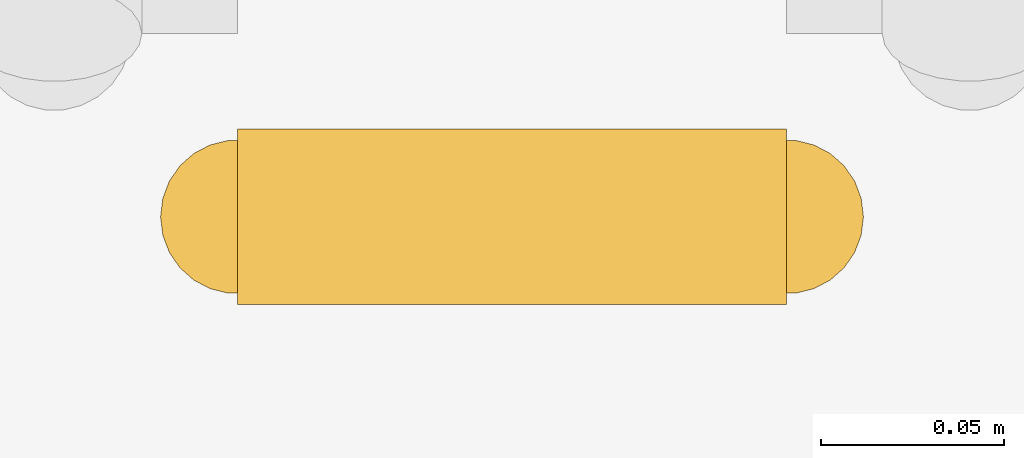
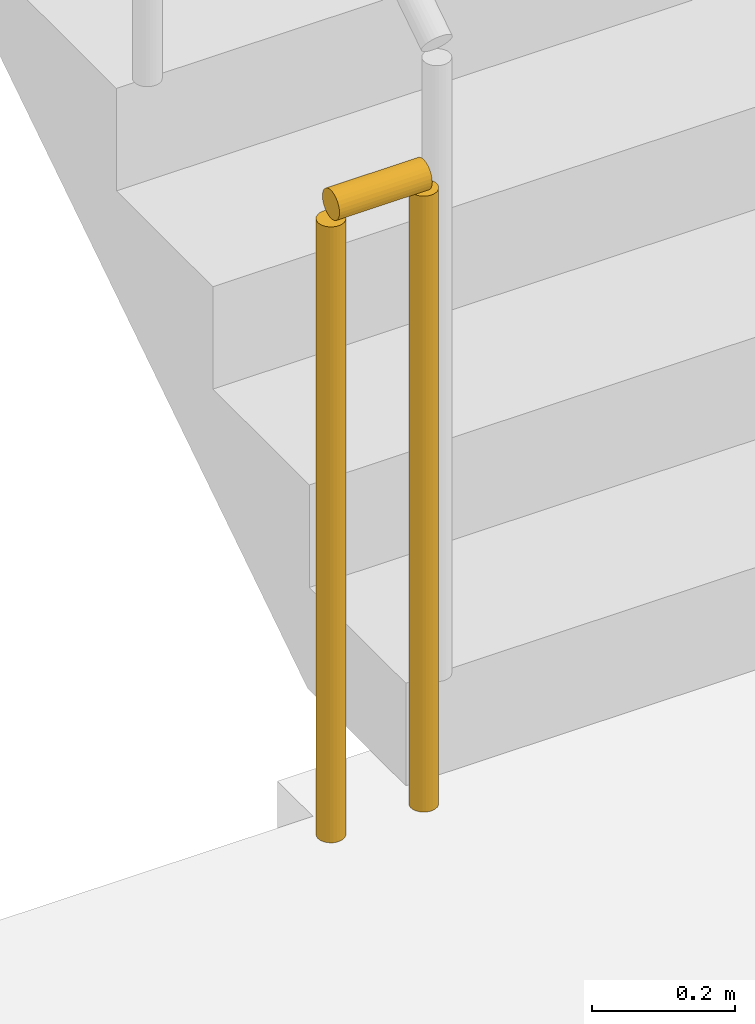
# One storey, part 17 of 20: 1 railing.
"""IFC4 building model written with IfcOpenShell, lengths in metres."""

from ifc_helpers import new_model, si_unit, direction, frame, origin, origin_2d, place, context, subcontext, project, spatial, circle, extrude, material, type_object, element, save


model = new_model("IFC4")

# Units and contexts
model_context = context("Model", 3, precision=1e-05, world=origin(), true_north=direction((0.0, 1.0)))
body_context = subcontext(model_context, "Body", "Model", "MODEL_VIEW")
ifc_project = project(units=[si_unit("LENGTHUNIT", "METRE"), si_unit("AREAUNIT", "SQUARE_METRE"), si_unit("VOLUMEUNIT", "CUBIC_METRE"), si_unit("PLANEANGLEUNIT", "RADIAN"), si_unit("MASSUNIT", "GRAM", prefix="KILO")], contexts=[model_context])

# Site, building, storey
site_placement = place(None, origin())
site = spatial("IfcSite", under=ifc_project, at=site_placement, CompositionType="ELEMENT")
building_placement = place(site_placement, origin())
building = spatial("IfcBuilding", under=site, at=building_placement, Name="Saffron Iwan Residences", CompositionType="ELEMENT")
storey_placement = place(building_placement, frame((0.0, 0.0, 178.0)))
storey = spatial("IfcBuildingStorey", under=building, at=storey_placement, Name="L47", CompositionType="ELEMENT", Elevation=178.0)

# Railing
ifc_material = material(Name="Steel S355", Category="steel")
railing_type = type_object("IfcRailingType", Name="Stair guard 1100", PredefinedType="GUARDRAIL", material=ifc_material)
railing_placement = place(storey_placement, frame((69.699951171875, 67.800048828125, 0.0)))
element("IfcRailing", 1, at=railing_placement, inside=storey, type_object=railing_type, Name="L47 ST-E stair guard 2", PredefinedType="GUARDRAIL", context=body_context, shape_type="SweptSolid", body=[
    extrude(circle(Radius=0.02392578125, at=origin_2d()), frame((0.0, 0.0, 1.076171875), z_axis=(-1.0, 0.0, 0.0), x_axis=(0.0, -1.0, 0.0)), (0.0, 0.0, 1.0), 0.14990234375),
    extrude(circle(Radius=0.02099609375, at=origin_2d()), origin(), (0.0, 0.0, 1.0), 1.052001953125),
    extrude(circle(Radius=0.02099609375, at=origin_2d()), frame((-0.14990234375, 0.0, 0.0)), (0.0, 0.0, 1.0), 1.052001953125),
])

save(model, "model.ifc")
